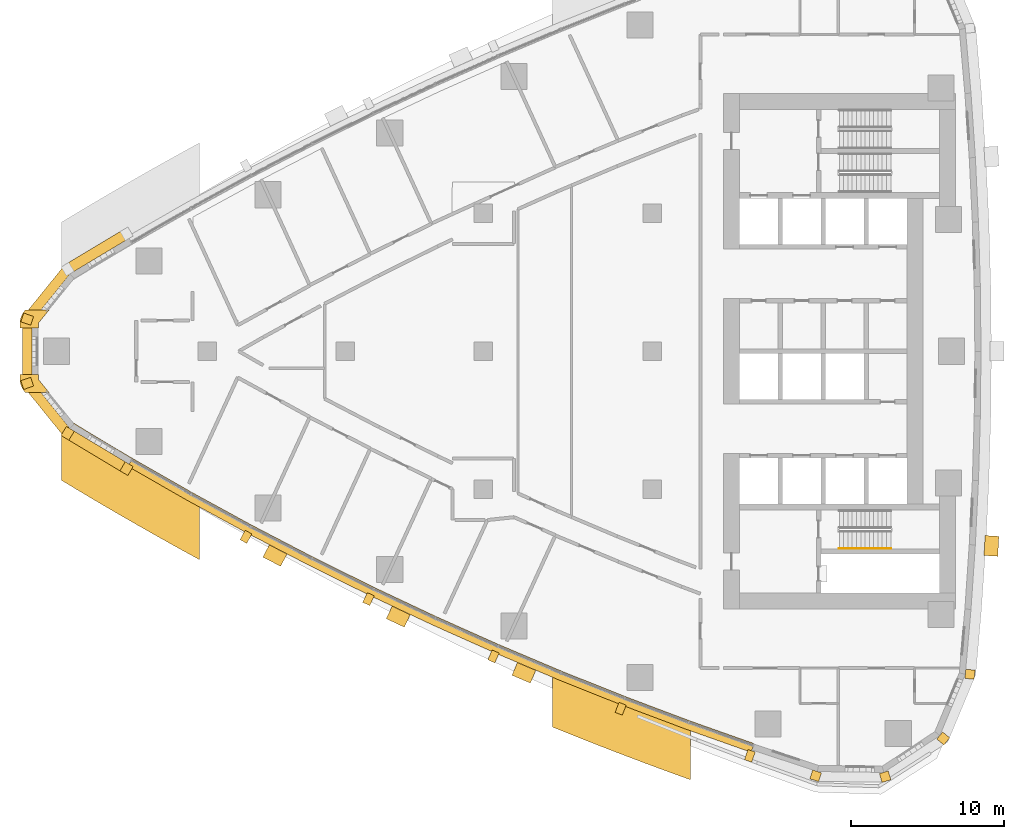
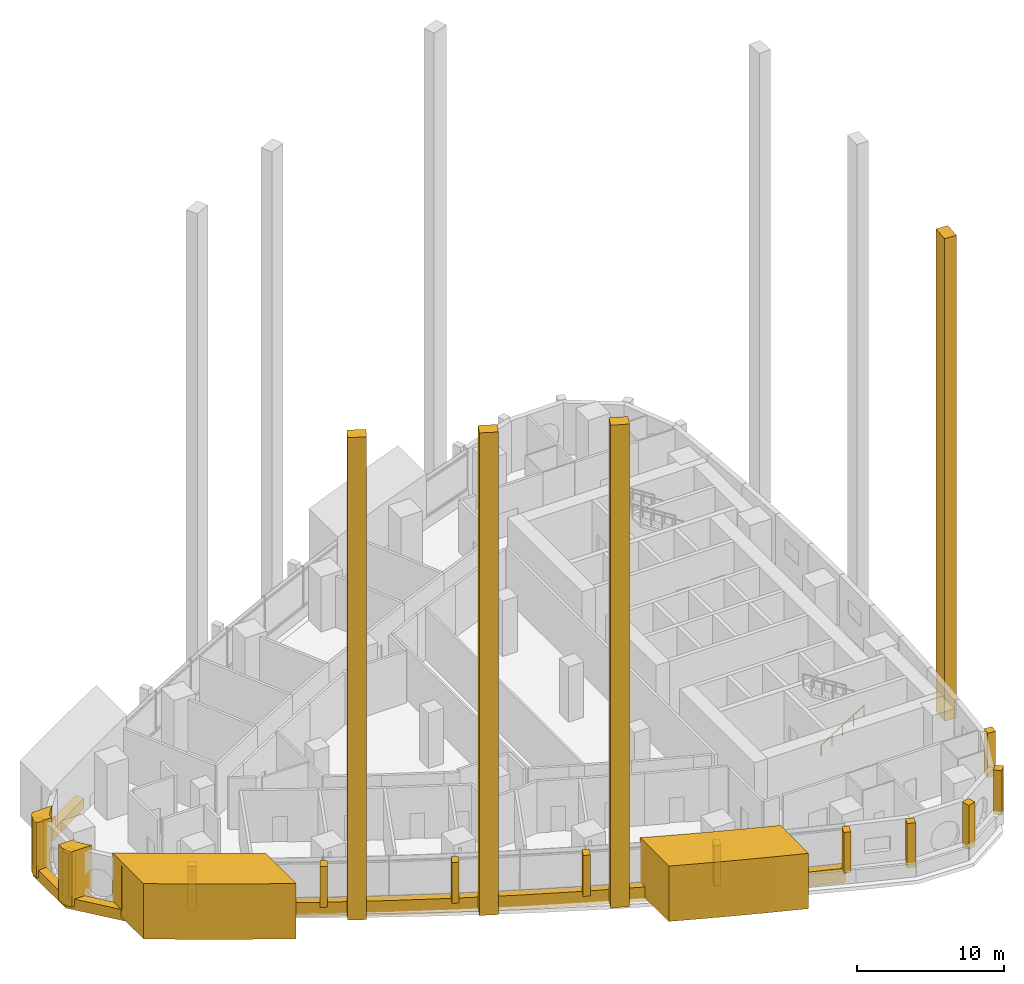
# One storey, part 13 of 17: 23 coverings, 1 railing.
"""IFC4 building model written with IfcOpenShell, lengths in metres."""

from ifc_helpers import new_model, si_unit, direction, frame, frame_2d, origin, origin_2d, place, context, subcontext, project, spatial, polyline, rectangle, circle, outline, extrude, material, layer, layer_set, type_object, element, save


model = new_model("IFC4")

# Units and contexts
model_context = context("Model", 3, precision=1e-05, world=origin(), true_north=direction((0.0, 1.0)))
body_context = subcontext(model_context, "Body", "Model", "MODEL_VIEW")
ifc_project = project(units=[si_unit("LENGTHUNIT", "METRE"), si_unit("AREAUNIT", "SQUARE_METRE"), si_unit("VOLUMEUNIT", "CUBIC_METRE"), si_unit("PLANEANGLEUNIT", "RADIAN"), si_unit("MASSUNIT", "GRAM", prefix="KILO")], contexts=[model_context])

# Site, building, storey
site_placement = place(None, origin())
site = spatial("IfcSite", under=ifc_project, at=site_placement, CompositionType="ELEMENT")
building_placement = place(site_placement, origin())
building = spatial("IfcBuilding", under=site, at=building_placement, Name="Ostrand Prow Hotel Tower", CompositionType="ELEMENT")
storey_placement = place(building_placement, frame((0.0, 0.0, 80.300048828125)))
storey = spatial("IfcBuildingStorey", under=building, at=storey_placement, Name="L18", CompositionType="ELEMENT", Elevation=80.300048828125)

# Coverings
ifc_material_1 = material(Name="Bronze anodised aluminium cladding", Category="aluminium")
ifc_layer_1 = layer(ifc_material_1, 0.60009765625)
ifc_layer_set_1 = layer_set([ifc_layer_1], Name="Bronze anodised aluminium cladding")
covering_type_1 = type_object("IfcCoveringType", Name="Bronze prow band 899x600", PredefinedType="CLADDING", material=ifc_layer_set_1)
covering_1_placement = place(storey_placement, frame((0.0, 0.0, -0.300048828125)))
element("IfcCovering", 1, at=covering_1_placement, inside=storey, type_object=covering_type_1, Name="Bronze prow band", PredefinedType="CLADDING", context=body_context, shape_type="SweptSolid", body=[
    extrude(outline(polyline([(10.580810546875, 7.9453125), (6.734130859375, 5.637939453125), (3.957763671875, 2.206787109375), (3.957763671875, -2.206787109375), (6.734130859375, -5.637939453125), (10.580810546875, -7.9453125), (10.9248046875, -7.358642578125), (7.089599609375, -5.058349609375), (4.598876953125, -1.97998046875), (4.598876953125, 1.97998046875), (7.089599609375, 5.058349609375), (10.9248046875, 7.358642578125), (10.580810546875, 7.9453125)])), origin(), (0.0, 0.0, 1.0), 0.89990234375),
])
ifc_material_2 = material(Name="Bronze anodised aluminium cladding", Category="aluminium")
ifc_layer_2 = layer(ifc_material_2, 0.60009765625)
ifc_layer_set_2 = layer_set([ifc_layer_2], Name="Bronze anodised aluminium cladding")
covering_type_2 = type_object("IfcCoveringType", Name="Bronze spandrel band 1200x600", PredefinedType="CLADDING", material=ifc_layer_set_2)
covering_2_placement = place(storey_placement, frame((0.0, 0.0, -0.300048828125)))
element("IfcCovering", 2, at=covering_2_placement, inside=storey, type_object=covering_type_2, Name="Spandrel band S1", PredefinedType="CLADDING", context=body_context, shape_type="SweptSolid", body=[
    extrude(outline(polyline([(10.841064453125, -7.50146484375), (14.72412109375, -9.726318359375), (18.651123046875, -11.872802734375), (22.620361328125, -13.940185546875), (26.6298828125, -15.927734375), (30.6787109375, -17.834716796875), (34.764892578125, -19.659912109375), (38.88671875, -21.4033203125), (43.042724609375, -23.0634765625), (47.231201171875, -24.64013671875), (51.4501953125, -26.1328125), (51.644775390625, -25.56494140625), (47.43701171875, -24.076416015625), (43.259765625, -22.504150390625), (39.114990234375, -20.848388671875), (35.004150390625, -19.10986328125), (30.928955078125, -17.289306640625), (26.89111328125, -15.3876953125), (22.89208984375, -13.4052734375), (18.93359375, -11.343505859375), (15.01708984375, -9.20263671875), (11.144287109375, -6.98388671875), (10.841064453125, -7.50146484375)])), origin(), (0.0, 0.0, 1.0), 1.199951171875),
])
ifc_material_3 = material(Name="Limestone cladding", Category="masonry")
ifc_layer_3 = layer(ifc_material_3, 5.0)
ifc_layer_set_3 = layer_set([ifc_layer_3], Name="Limestone cladding")
covering_type_3 = type_object("IfcCoveringType", Name="Portal jamb pilaster limestone", PredefinedType="CLADDING", material=ifc_layer_set_3)
covering_3_placement = place(storey_placement, origin())
element("IfcCovering", 3, at=covering_3_placement, inside=storey, type_object=covering_type_3, Name="Portal jamb SA L18", PredefinedType="CLADDING", context=body_context, shape_type="SweptSolid", body=[
    extrude(outline(polyline([(6.5, -4.184326171875), (6.5, -8.40625), (7.5, -9.0087890625), (8.5, -9.604248046875), (9.5, -10.19287109375), (10.5, -10.7744140625), (11.5, -11.349365234375), (12.5, -11.91748046875), (13.5, -12.478759765625), (14.5, -13.03369140625), (15.5, -13.581787109375), (15.5, -9.47216796875), (14.5, -8.912353515625), (13.5, -8.345703125), (12.5, -7.772216796875), (11.5, -7.19189453125), (10.5, -6.6044921875), (9.5, -6.01025390625), (8.5, -5.40869140625), (7.5, -4.80029296875), (6.5, -4.184326171875)])), origin(), (0.0, 0.0, 1.0), 4.599853515625),
])
covering_4_placement = place(storey_placement, origin())
element("IfcCovering", 4, at=covering_4_placement, inside=storey, type_object=covering_type_3, Name="Portal jamb SB L18", PredefinedType="CLADDING", context=body_context, shape_type="SweptSolid", body=[
    extrude(outline(polyline([(38.5, -20.59423828125), (38.5, -24.486083984375), (39.5, -24.890380859375), (40.5, -25.2890625), (41.5, -25.68212890625), (42.5, -26.06982421875), (43.5, -26.4521484375), (44.5, -26.8291015625), (45.5, -27.200439453125), (46.5, -27.566650390625), (47.5, -27.927490234375), (47.5, -24.099609375), (46.5, -23.732177734375), (45.5, -23.359130859375), (44.5, -22.98095703125), (43.5, -22.59716796875), (42.5, -22.207763671875), (41.5, -21.812744140625), (40.5, -21.412353515625), (39.5, -21.006103515625), (38.5, -20.59423828125)])), origin(), (0.0, 0.0, 1.0), 4.599853515625),
])
ifc_material_4 = material(Name="Limestone cladding", Category="masonry")
ifc_layer_4 = layer(ifc_material_4, 1.300048828125)
ifc_layer_set_4 = layer_set([ifc_layer_4], Name="Limestone cladding")
covering_type_4 = type_object("IfcCoveringType", Name="Precast stone fin 1300x1500", PredefinedType="CLADDING", material=ifc_layer_set_4)
for number, where, z_axis, x_axis, name in (
    (5, (20.630615234375, -12.91650390625, 0.0), (0.0, 0.0, 1.0), (-0.462232235728, -0.886758907626, 0.0), "Stone fin S zone 2 3"),
    (6, (28.649658203125, -16.891357421875, 0.0), (0.0, 0.0, 1.0), (-0.426149719037, -0.904652649897, 0.0), "Stone fin S zone 2 5"),
    (7, (36.821533203125, -20.5419921875, 0.0), (0.0, 0.0, 1.0), (-0.389560340837, -0.921000945085, 0.0), "Stone fin S zone 2 7"),
    (8, (66.666748046875, -12.659912109375, 0.0), (0.0, 0.0, 1.0), (0.99829767992, -0.058324456843, 0.0), "Stone fin back zone 2 7"),
):
    element("IfcCovering", number, at=place(storey_placement, frame(where, z_axis=z_axis, x_axis=x_axis)), inside=storey, type_object=covering_type_4, Name=name, PredefinedType="CLADDING", context=body_context, shape_type="SweptSolid", body=[
        extrude(rectangle(XDim=0.89990234375, YDim=1.300048828125, at=frame_2d((0.449951171875, 0.0))), origin(), (0.0, 0.0, 1.0), 40.099853515625),
    ])
ifc_material_5 = material(Name="Limestone cladding", Category="masonry")
ifc_layer_5 = layer(ifc_material_5, 0.5)
ifc_layer_set_5 = layer_set([ifc_layer_5], Name="Limestone cladding")
covering_type_5 = type_object("IfcCoveringType", Name="Precast stone fin 500x600", PredefinedType="CLADDING", material=ifc_layer_set_5)
covering_5_placement = place(storey_placement, frame((18.6982421875, -11.78466796875, 0.89990234375), z_axis=(0.0, 0.0, 1.0), x_axis=(-0.470914095304, -0.882179071869, 0.0)))
element("IfcCovering", 9, at=covering_5_placement, inside=storey, type_object=covering_type_5, Name="Stone fin S 3", PredefinedType="CLADDING", context=body_context, shape_type="SweptSolid", body=[
    extrude(rectangle(XDim=0.699951171875, YDim=0.5, at=frame_2d((0.35009765625, 0.0))), origin(), (0.0, 0.0, 1.0), 3.400146484375),
])
covering_6_placement = place(storey_placement, frame((26.673583984375, -15.837646484375, 0.89990234375), z_axis=(0.0, 0.0, 1.0), x_axis=(-0.435178082729, -0.900344398723, 0.0)))
element("IfcCovering", 10, at=covering_6_placement, inside=storey, type_object=covering_type_5, Name="Stone fin S 5", PredefinedType="CLADDING", context=body_context, shape_type="SweptSolid", body=[
    extrude(rectangle(XDim=0.7001953125, YDim=0.5, at=frame_2d((0.35009765625, 0.0))), origin(), (0.0, 0.0, 1.0), 3.400146484375),
])
for number, where, z_axis, x_axis, name in (
    (11, (34.8046875, -19.568359375, 0.89990234375), (0.0, 0.0, 1.0), (-0.398713356045, -0.917075601961, 0.0), "Stone fin S 7"),
    (12, (43.0791015625, -22.97021484375, 0.89990234375), (0.0, 0.0, 1.0), (-0.36199182799, -0.932181268031, 0.0), "Stone fin S 9"),
    (13, (51.482666015625, -26.0380859375, 0.89990234375), (0.0, 0.0, 1.0), (-0.324065681594, -0.946034583941, 0.0), "Stone fin S 11"),
):
    element("IfcCovering", number, at=place(storey_placement, frame(where, z_axis=z_axis, x_axis=x_axis)), inside=storey, type_object=covering_type_5, Name=name, PredefinedType="CLADDING", context=body_context, shape_type="SweptSolid", body=[
        extrude(rectangle(XDim=0.699951171875, YDim=0.5, at=frame_2d((0.35009765625, 0.0))), origin(), (0.0, 0.0, 1.0), 3.400146484375),
    ])
ifc_material_6 = material(Name="Limestone cladding", Category="masonry")
ifc_layer_6 = layer(ifc_material_6, 0.60009765625)
ifc_layer_set_6 = layer_set([ifc_layer_6], Name="Limestone cladding")
covering_type_6 = type_object("IfcCoveringType", Name="Precast stone prow rib 600x600", PredefinedType="CLADDING", material=ifc_layer_set_6)
for number, where, z_axis, x_axis, name in (
    (14, (4.598876953125, 1.97998046875, 0.599853515625), (0.0, 0.0, 1.0), (-0.942744850171, 0.333514838465, 0.0), "Stone prow rib 3"),
    (15, (4.598876953125, -1.97998046875, 0.599853515625), (0.0, 0.0, 1.0), (-0.942744850171, -0.333514838465, 0.0), "Stone prow rib 4"),
    (16, (7.089599609375, -5.058349609375, 0.599853515625), (0.0, 0.0, 1.0), (-0.522814637618, -0.852446394029, 0.0), "Stone prow rib 5"),
):
    element("IfcCovering", number, at=place(storey_placement, frame(where, z_axis=z_axis, x_axis=x_axis)), inside=storey, type_object=covering_type_6, Name=name, PredefinedType="CLADDING", context=body_context, shape_type="SweptSolid", body=[
        extrude(rectangle(XDim=0.679931640625, YDim=0.60009765625, at=frame_2d((0.33984375, 0.0))), origin(), (0.0, 0.0, 1.0), 3.7001953125),
    ])
covering_7_placement = place(storey_placement, frame((10.9248046875, -7.358642578125, 0.599853515625), z_axis=(0.0, 0.0, 1.0), x_axis=(-0.505811626043, -0.862643958397, 0.0)))
element("IfcCovering", 17, at=covering_7_placement, inside=storey, type_object=covering_type_6, Name="Stone prow rib 6", PredefinedType="CLADDING", context=body_context, shape_type="SweptSolid", body=[
    extrude(rectangle(XDim=0.68017578125, YDim=0.60009765625, at=frame_2d((0.340087890625, 0.0))), origin(), (0.0, 0.0, 1.0), 3.7001953125),
])
covering_8_placement = place(storey_placement, frame((55.7490234375, -27.3828125, 0.599853515625), z_axis=(0.0, 0.0, 1.0), x_axis=(-0.305218682065, -0.952282288042, 0.0)))
element("IfcCovering", 18, at=covering_8_placement, inside=storey, type_object=covering_type_6, Name="Stone corner rib 2a", PredefinedType="CLADDING", context=body_context, shape_type="SweptSolid", body=[
    extrude(rectangle(XDim=0.599853515625, YDim=0.60009765625, at=frame_2d((0.2998046875, 0.0))), origin(), (0.0, 0.0, 1.0), 3.7001953125),
])
covering_9_placement = place(storey_placement, frame((60.104736328125, -27.437744140625, 0.599853515625), z_axis=(0.0, 0.0, 1.0), x_axis=(0.280734221166, -0.959785547436, 0.0)))
element("IfcCovering", 19, at=covering_9_placement, inside=storey, type_object=covering_type_6, Name="Stone corner rib 3a", PredefinedType="CLADDING", context=body_context, shape_type="SweptSolid", body=[
    extrude(rectangle(XDim=0.60009765625, YDim=0.60009765625, at=frame_2d((0.300048828125, 0.0))), origin(), (0.0, 0.0, 1.0), 3.7001953125),
])
for number, where, z_axis, x_axis, name in (
    (20, (63.74365234375, -25.043212890625, 0.599853515625), (0.0, 0.0, 1.0), (0.770318500913, -0.637659319034, 0.0), "Stone corner rib 4a"),
    (21, (65.41650390625, -21.02099609375, 0.599853515625), (0.0, 0.0, 1.0), (0.99529571972, -0.096883591531, 0.0), "Stone corner rib 4b"),
):
    element("IfcCovering", number, at=place(storey_placement, frame(where, z_axis=z_axis, x_axis=x_axis)), inside=storey, type_object=covering_type_6, Name=name, PredefinedType="CLADDING", context=body_context, shape_type="SweptSolid", body=[
        extrude(rectangle(XDim=0.599853515625, YDim=0.60009765625, at=frame_2d((0.2998046875, 0.0))), origin(), (0.0, 0.0, 1.0), 3.7001953125),
    ])
ifc_material_7 = material(Name="Limestone cladding", Category="masonry")
ifc_layer_7 = layer(ifc_material_7, 3.0)
ifc_layer_set_7 = layer_set([ifc_layer_7], Name="Limestone cladding")
covering_type_7 = type_object("IfcCoveringType", Name="Prow nose pier limestone", PredefinedType="CLADDING", material=ifc_layer_set_7)
covering_10_placement = place(storey_placement, origin())
element("IfcCovering", 22, at=covering_10_placement, inside=storey, type_object=covering_type_7, Name="Prow spine fin N L18", PredefinedType="CLADDING", context=body_context, shape_type="SweptSolid", body=[
    extrude(outline(polyline([(3.808349609375, 1.8349609375), (3.808349609375, 1.5), (5.00830078125, 1.5), (5.00830078125, 1.8349609375), (5.708251953125, 2.699951171875), (4.16455078125, 2.699951171875), (4.075439453125, 2.58984375), (4.006591796875, 2.495849609375), (3.947265625, 2.3955078125), (3.897705078125, 2.289794921875), (3.85888671875, 2.179931640625), (3.830810546875, 2.06689453125), (3.81396484375, 1.951416015625), (3.808349609375, 1.8349609375)])), origin(), (0.0, 0.0, 1.0), 4.599853515625),
])
covering_11_placement = place(storey_placement, origin())
element("IfcCovering", 23, at=covering_11_placement, inside=storey, type_object=covering_type_7, Name="Prow spine fin S L18", PredefinedType="CLADDING", context=body_context, shape_type="SweptSolid", body=[
    extrude(outline(polyline([(4.075439453125, -2.58984375), (4.16455078125, -2.699951171875), (5.708251953125, -2.699951171875), (5.00830078125, -1.8349609375), (5.00830078125, -1.5), (3.808349609375, -1.5), (3.808349609375, -1.8349609375), (3.81396484375, -1.951416015625), (3.830810546875, -2.06689453125), (3.85888671875, -2.179931640625), (3.897705078125, -2.289794921875), (3.947265625, -2.3955078125), (4.006591796875, -2.495849609375), (4.075439453125, -2.58984375)])), origin(), (0.0, 0.0, 1.0), 4.599853515625),
])

# Railing
ifc_material_8 = material(Name="Stainless steel", Category="steel")
railing_type = type_object("IfcRailingType", Name="Stair handrail 900", PredefinedType="HANDRAIL", material=ifc_material_8)
railing_placement = place(storey_placement, frame((57.199951171875, -12.85009765625, 0.1767578125)))
element("IfcRailing", 24, at=railing_placement, inside=storey, type_object=railing_type, Name="L18 ST2C stair handrail 1", PredefinedType="HANDRAIL", context=body_context, shape_type="SweptSolid", body=[
    extrude(circle(Radius=0.02392578125, at=origin_2d()), frame((0.0, 0.0, 0.8759765625), z_axis=(0.845361898145, 0.0, 0.534194029511), x_axis=(0.0, 1.0, 0.0)), (0.0, 0.0, 1.0), 3.974853515625),
    extrude(circle(Radius=0.02099609375, at=origin_2d()), origin(), (0.0, 0.0, 1.0), 0.851806640625),
    extrude(circle(Radius=0.02099609375, at=origin_2d()), frame((0.840087890625, 0.0, 0.53076171875)), (0.0, 0.0, 1.0), 0.851806640625),
    extrude(circle(Radius=0.02099609375, at=origin_2d()), frame((1.68017578125, 0.0, 1.0615234375)), (0.0, 0.0, 1.0), 0.851806640625),
    extrude(circle(Radius=0.02099609375, at=origin_2d()), frame((2.52001953125, 0.0, 1.592529296875)), (0.0, 0.0, 1.0), 0.851806640625),
    extrude(circle(Radius=0.02099609375, at=origin_2d()), frame((3.360107421875, 0.0, 2.123291015625)), (0.0, 0.0, 1.0), 0.851806640625),
])

save(model, "model.ifc")
